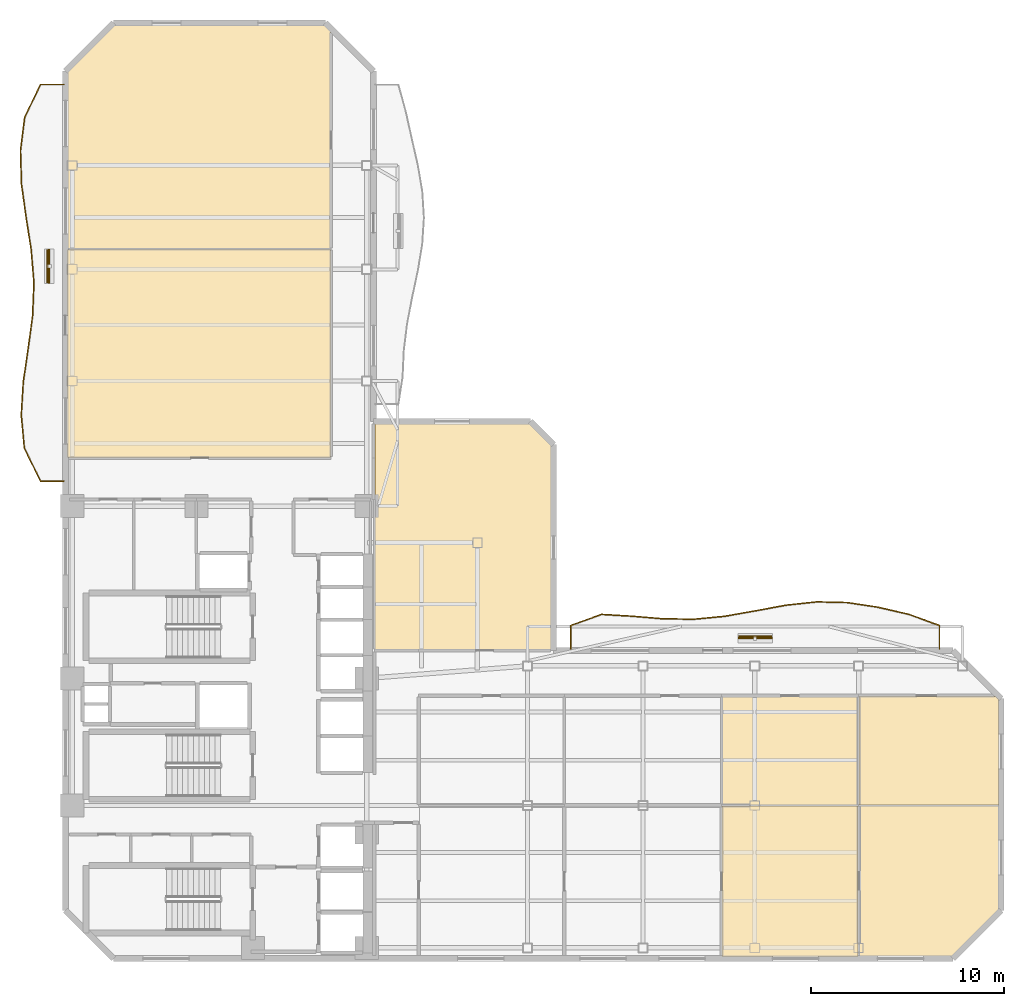
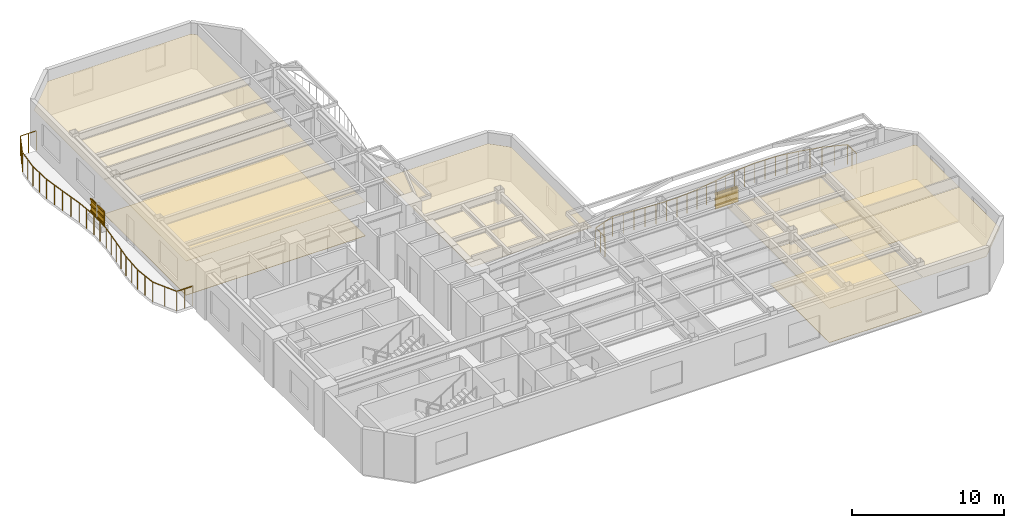
# One storey, part 8 of 9: 10 coverings, 8 shading devices, 2 railings.
"""IFC4 building model written with IfcOpenShell, lengths in metres."""

from ifc_helpers import new_model, si_unit, direction, frame, origin, origin_2d, place, context, subcontext, project, spatial, polyline, rectangle, outline, extrude, material, layer, layer_set, material_profile, profile_set, type_object, element, save


model = new_model("IFC4")

# Units and contexts
model_context = context("Model", 3, precision=1e-05, world=origin(), true_north=direction((0.0, 1.0)))
body_context = subcontext(model_context, "Body", "Model", "MODEL_VIEW")
ifc_project = project(units=[si_unit("LENGTHUNIT", "METRE"), si_unit("AREAUNIT", "SQUARE_METRE"), si_unit("VOLUMEUNIT", "CUBIC_METRE"), si_unit("PLANEANGLEUNIT", "RADIAN"), si_unit("MASSUNIT", "GRAM", prefix="KILO")], contexts=[model_context])

# Site, building, storey
site_placement = place(None, origin())
site = spatial("IfcSite", under=ifc_project, at=site_placement, CompositionType="ELEMENT")
building_placement = place(site_placement, origin())
building = spatial("IfcBuilding", under=site, at=building_placement, Name="Mawjaban Terraces University", CompositionType="ELEMENT")
storey_placement = place(building_placement, frame((0.0, 0.0, 130.699951171875)))
storey = spatial("IfcBuildingStorey", under=building, at=storey_placement, Name="L31", CompositionType="ELEMENT", Elevation=130.699951171875)

# Coverings
ifc_material_1 = material(Name="Acoustic mineral fibre ceiling tile", Category="masonry")
ifc_layer_1 = layer(ifc_material_1, 0.02001953125)
ifc_layer_set_1 = layer_set([ifc_layer_1], Name="Acoustic mineral fibre ceiling tile")
covering_type_1 = type_object("IfcCoveringType", Name="AcousticMineralCeiling_20", PredefinedType="CEILING", material=ifc_layer_set_1)
covering_1_placement = place(storey_placement, frame((0.0, 0.0, 2.75)))
element("IfcCovering", 1, at=covering_1_placement, inside=storey, type_object=covering_type_1, Name="L31 Reading Salon 6 Acoustic Ceiling", PredefinedType="CEILING", context=body_context, shape_type="SweptSolid", body=[
    extrude(outline(polyline([(56.110107421875, 0.114990234375), (63.169921875, 0.114990234375), (63.169921875, 7.919921875), (56.110107421875, 7.919921875), (56.110107421875, 0.114990234375)])), origin(), (0.0, 0.0, 1.0), 0.02001953125),
])
covering_2_placement = place(storey_placement, frame((0.0, 0.0, 2.75)))
element("IfcCovering", 2, at=covering_2_placement, inside=storey, type_object=covering_type_1, Name="L31 Academic Counseling Room 7 Acoustic Ceiling", PredefinedType="CEILING", context=body_context, shape_type="SweptSolid", body=[
    extrude(outline(polyline([(63.169921875, 7.97998046875), (63.169921875, 13.6201171875), (56.110107421875, 13.6201171875), (56.110107421875, 7.97998046875), (63.169921875, 7.97998046875)])), origin(), (0.0, 0.0, 1.0), 0.02001953125),
])
covering_3_placement = place(storey_placement, frame((0.0, 0.0, 2.75)))
element("IfcCovering", 3, at=covering_3_placement, inside=storey, type_object=covering_type_1, Name="L31 Academic Counseling Room 8 Acoustic Ceiling", PredefinedType="CEILING", context=body_context, shape_type="SweptSolid", body=[
    extrude(outline(polyline([(63.22998046875, 0.114990234375), (68.052978515625, 0.114990234375), (70.485107421875, 2.547119140625), (70.485107421875, 7.919921875), (63.22998046875, 7.919921875), (63.22998046875, 0.114990234375)])), origin(), (0.0, 0.0, 1.0), 0.02001953125),
])
covering_4_placement = place(storey_placement, frame((0.0, 0.0, 2.75)))
element("IfcCovering", 4, at=covering_4_placement, inside=storey, type_object=covering_type_1, Name="L31 Classroom 9 Acoustic Ceiling", PredefinedType="CEILING", context=body_context, shape_type="SweptSolid", body=[
    extrude(outline(polyline([(70.485107421875, 7.97998046875), (70.485107421875, 13.452880859375), (70.318115234375, 13.6201171875), (63.22998046875, 13.6201171875), (63.22998046875, 7.97998046875), (70.485107421875, 7.97998046875)])), origin(), (0.0, 0.0, 1.0), 0.02001953125),
])
covering_5_placement = place(storey_placement, frame((0.0, 0.0, 2.75)))
element("IfcCovering", 5, at=covering_5_placement, inside=storey, type_object=covering_type_1, Name="L31 Seminar Room 10 Acoustic Ceiling", PredefinedType="CEILING", context=body_context, shape_type="SweptSolid", body=[
    extrude(outline(polyline([(22.114990234375, 36.818115234375), (22.114990234375, 26.030029296875), (35.77001953125, 26.030029296875), (35.77001953125, 36.818115234375), (22.114990234375, 36.818115234375)])), origin(), (0.0, 0.0, 1.0), 0.02001953125),
])
covering_6_placement = place(storey_placement, frame((0.0, 0.0, 2.75)))
element("IfcCovering", 6, at=covering_6_placement, inside=storey, type_object=covering_type_1, Name="L31 Faculty Office 11 Acoustic Ceiling", PredefinedType="CEILING", context=body_context, shape_type="SweptSolid", body=[
    extrude(outline(polyline([(35.77001953125, 48.16796875), (35.452880859375, 48.485107421875), (24.547119140625, 48.485107421875), (22.114990234375, 46.052978515625), (22.114990234375, 36.8779296875), (35.77001953125, 36.8779296875), (35.77001953125, 48.16796875)])), origin(), (0.0, 0.0, 1.0), 0.02001953125),
])
covering_7_placement = place(storey_placement, frame((0.0, 0.0, 2.75)))
element("IfcCovering", 7, at=covering_7_placement, inside=storey, type_object=covering_type_1, Name="L31 Terrace Collaborative Study Room Acoustic Ceiling", PredefinedType="CEILING", context=body_context, shape_type="SweptSolid", body=[
    extrude(outline(polyline([(47.236083984375, 16.030029296875), (47.236083984375, 26.653076171875), (46.10400390625, 27.784912109375), (38.080078125, 27.784912109375), (38.080078125, 16.030029296875), (47.236083984375, 16.030029296875)])), origin(), (0.0, 0.0, 1.0), 0.02001953125),
])

# Railings
ifc_material_2 = material(Name="Galvanised powder-coated steel S355", Category="steel")
railing_type = type_object("IfcRailingType", Name="BalconyBalustrade_1600", PredefinedType="BALUSTRADE", material=ifc_material_2)
railing_1_placement = place(storey_placement, frame((21.919921875, 24.800048828125, 0.0)))
element("IfcRailing", 8, at=railing_1_placement, inside=storey, type_object=railing_type, Name="L31 Balcony Guardrail west", PredefinedType="BALUSTRADE", context=body_context, shape_type="SweptSolid", body=[
    extrude(rectangle(XDim=0.048095703125, YDim=0.048095703125, at=origin_2d()), frame((0.0, 0.0, 1.576171875), z_axis=(-1.0, 0.0, 0.0), x_axis=(0.0, -1.0, 0.0)), (0.0, 0.0, 1.0), 1.219970703125),
    extrude(rectangle(XDim=0.048095703125, YDim=0.048095703125, at=origin_2d()), frame((-1.219970703125, 0.0, 1.576171875), z_axis=(-0.438967233207, 0.898503070763, 0.0), x_axis=(-0.898503070763, -0.438967233207, 0.0)), (0.0, 0.0, 1.0), 1.910888671875),
    extrude(rectangle(XDim=0.048095703125, YDim=0.048095703125, at=origin_2d()), frame((-2.058837890625, 1.717041015625, 1.576171875), z_axis=(-0.092375103875, 0.995724279198, 0.0), x_axis=(-0.995724279198, -0.092375103875, 0.0)), (0.0, 0.0, 1.0), 1.72314453125),
    extrude(rectangle(XDim=0.048095703125, YDim=0.048095703125, at=origin_2d()), frame((-2.218017578125, 3.432861328125, 1.576171875), z_axis=(0.060460779806, 0.998170573652, 0.0), x_axis=(-0.998170573652, 0.060460779806, 0.0)), (0.0, 0.0, 1.0), 1.72021484375),
    extrude(rectangle(XDim=0.048095703125, YDim=0.048095703125, at=origin_2d()), frame((-2.114013671875, 5.14990234375, 1.576171875), z_axis=(0.145319838809, 0.989384730248, 0.0), x_axis=(-0.989384730248, 0.145319838809, 0.0)), (0.0, 0.0, 1.0), 1.7353515625),
    extrude(rectangle(XDim=0.048095703125, YDim=0.048095703125, at=origin_2d()), frame((-1.86181640625, 6.866943359375, 1.576171875), z_axis=(0.13449037063, 0.990914900588, 0.0), x_axis=(-0.990914900588, 0.13449037063, 0.0)), (0.0, 0.0, 1.0), 1.731689453125),
    extrude(rectangle(XDim=0.048095703125, YDim=0.048095703125, at=origin_2d()), frame((-1.62890625, 8.5830078125, 1.576171875), z_axis=(0.03949709548, 0.999219685279, 0.0), x_axis=(-0.999219685279, 0.03949709548, 0.0)), (0.0, 0.0, 1.0), 1.71826171875),
    extrude(rectangle(XDim=0.048095703125, YDim=0.048095703125, at=origin_2d()), frame((-1.56103515625, 10.300048828125, 1.576171875), z_axis=(-0.081778633237, 0.996650518058, 0.0), x_axis=(-0.996650518058, -0.081778633237, 0.0)), (0.0, 0.0, 1.0), 1.72265625),
    extrude(rectangle(XDim=0.048095703125, YDim=0.048095703125, at=origin_2d()), frame((-1.701904296875, 12.016845703125, 1.576171875), z_axis=(-0.155435721356, 0.987846008509, 0.0), x_axis=(-0.987846008509, -0.155435721356, 0.0)), (0.0, 0.0, 1.0), 1.737060546875),
    extrude(rectangle(XDim=0.048095703125, YDim=0.048095703125, at=origin_2d()), frame((-1.971923828125, 13.73291015625, 1.576171875), z_axis=(-0.136766084598, 0.990603370731, 0.0), x_axis=(-0.990603370731, -0.136766084598, 0.0)), (0.0, 0.0, 1.0), 1.7333984375),
    extrude(rectangle(XDim=0.048095703125, YDim=0.048095703125, at=origin_2d()), frame((-2.208984375, 15.449951171875, 1.576171875), z_axis=(-0.02842587525, 0.999595903161, 0.0), x_axis=(-0.999595903161, -0.02842587525, 0.0)), (0.0, 0.0, 1.0), 1.7177734375),
    extrude(rectangle(XDim=0.048095703125, YDim=0.048095703125, at=origin_2d()), frame((-2.2578125, 17.1669921875, 1.576171875), z_axis=(0.124781739438, 0.992184215508, 0.0), x_axis=(-0.992184215508, 0.124781739438, 0.0)), (0.0, 0.0, 1.0), 1.7294921875),
    extrude(rectangle(XDim=0.048095703125, YDim=0.048095703125, at=origin_2d()), frame((-2.0419921875, 18.883056640625, 1.576171875), z_axis=(0.431859381841, 0.901940948353, 0.0), x_axis=(-0.901940948353, 0.431859381841, 0.0)), (0.0, 0.0, 1.0), 1.903564453125),
    extrude(rectangle(XDim=0.048095703125, YDim=0.048095703125, at=origin_2d()), frame((-1.219970703125, 20.599853515625, 1.576171875), z_axis=(1.0, 0.0, 0.0), x_axis=(0.0, 1.0, 0.0)), (0.0, 0.0, 1.0), 1.219970703125),
    extrude(rectangle(XDim=0.0419921875, YDim=0.0419921875, at=origin_2d()), origin(), (0.0, 0.0, 1.0), 1.552001953125),
    extrude(rectangle(XDim=0.0419921875, YDim=0.0419921875, at=origin_2d()), frame((-0.60986328125, 0.0, 0.0)), (0.0, 0.0, 1.0), 1.552001953125),
    extrude(rectangle(XDim=0.0419921875, YDim=0.0419921875, at=origin_2d()), frame((-1.219970703125, 0.0, 0.0)), (0.0, 0.0, 1.0), 1.552001953125),
    extrude(rectangle(XDim=0.0419921875, YDim=0.0419921875, at=origin_2d()), frame((-1.639404296875, 0.8583984375, 0.0)), (0.0, 0.0, 1.0), 1.552001953125),
    extrude(rectangle(XDim=0.0419921875, YDim=0.0419921875, at=origin_2d()), frame((-2.058837890625, 1.717041015625, 0.0)), (0.0, 0.0, 1.0), 1.552001953125),
    extrude(rectangle(XDim=0.0419921875, YDim=0.0419921875, at=origin_2d()), frame((-2.138427734375, 2.574951171875, 0.0)), (0.0, 0.0, 1.0), 1.552001953125),
    extrude(rectangle(XDim=0.0419921875, YDim=0.0419921875, at=origin_2d()), frame((-2.218017578125, 3.432861328125, 0.0)), (0.0, 0.0, 1.0), 1.552001953125),
    extrude(rectangle(XDim=0.0419921875, YDim=0.0419921875, at=origin_2d()), frame((-2.166015625, 4.29150390625, 0.0)), (0.0, 0.0, 1.0), 1.552001953125),
    extrude(rectangle(XDim=0.0419921875, YDim=0.0419921875, at=origin_2d()), frame((-2.114013671875, 5.14990234375, 0.0)), (0.0, 0.0, 1.0), 1.552001953125),
    extrude(rectangle(XDim=0.0419921875, YDim=0.0419921875, at=origin_2d()), frame((-1.98779296875, 6.00830078125, 0.0)), (0.0, 0.0, 1.0), 1.552001953125),
    extrude(rectangle(XDim=0.0419921875, YDim=0.0419921875, at=origin_2d()), frame((-1.86181640625, 6.866943359375, 0.0)), (0.0, 0.0, 1.0), 1.552001953125),
    extrude(rectangle(XDim=0.0419921875, YDim=0.0419921875, at=origin_2d()), frame((-1.745361328125, 7.72509765625, 0.0)), (0.0, 0.0, 1.0), 1.552001953125),
    extrude(rectangle(XDim=0.0419921875, YDim=0.0419921875, at=origin_2d()), frame((-1.62890625, 8.5830078125, 0.0)), (0.0, 0.0, 1.0), 1.552001953125),
    extrude(rectangle(XDim=0.0419921875, YDim=0.0419921875, at=origin_2d()), frame((-1.594970703125, 9.44140625, 0.0)), (0.0, 0.0, 1.0), 1.552001953125),
    extrude(rectangle(XDim=0.0419921875, YDim=0.0419921875, at=origin_2d()), frame((-1.56103515625, 10.300048828125, 0.0)), (0.0, 0.0, 1.0), 1.552001953125),
    extrude(rectangle(XDim=0.0419921875, YDim=0.0419921875, at=origin_2d()), frame((-1.63134765625, 11.158447265625, 0.0)), (0.0, 0.0, 1.0), 1.552001953125),
    extrude(rectangle(XDim=0.0419921875, YDim=0.0419921875, at=origin_2d()), frame((-1.701904296875, 12.016845703125, 0.0)), (0.0, 0.0, 1.0), 1.552001953125),
    extrude(rectangle(XDim=0.0419921875, YDim=0.0419921875, at=origin_2d()), frame((-1.8369140625, 12.875, 0.0)), (0.0, 0.0, 1.0), 1.552001953125),
    extrude(rectangle(XDim=0.0419921875, YDim=0.0419921875, at=origin_2d()), frame((-1.971923828125, 13.73291015625, 0.0)), (0.0, 0.0, 1.0), 1.552001953125),
    extrude(rectangle(XDim=0.0419921875, YDim=0.0419921875, at=origin_2d()), frame((-2.09033203125, 14.59130859375, 0.0)), (0.0, 0.0, 1.0), 1.552001953125),
    extrude(rectangle(XDim=0.0419921875, YDim=0.0419921875, at=origin_2d()), frame((-2.208984375, 15.449951171875, 0.0)), (0.0, 0.0, 1.0), 1.552001953125),
    extrude(rectangle(XDim=0.0419921875, YDim=0.0419921875, at=origin_2d()), frame((-2.2333984375, 16.30859375, 0.0)), (0.0, 0.0, 1.0), 1.552001953125),
    extrude(rectangle(XDim=0.0419921875, YDim=0.0419921875, at=origin_2d()), frame((-2.2578125, 17.1669921875, 0.0)), (0.0, 0.0, 1.0), 1.552001953125),
    extrude(rectangle(XDim=0.0419921875, YDim=0.0419921875, at=origin_2d()), frame((-2.14990234375, 18.02490234375, 0.0)), (0.0, 0.0, 1.0), 1.552001953125),
    extrude(rectangle(XDim=0.0419921875, YDim=0.0419921875, at=origin_2d()), frame((-2.0419921875, 18.883056640625, 0.0)), (0.0, 0.0, 1.0), 1.552001953125),
    extrude(rectangle(XDim=0.0419921875, YDim=0.0419921875, at=origin_2d()), frame((-1.630859375, 19.741455078125, 0.0)), (0.0, 0.0, 1.0), 1.552001953125),
    extrude(rectangle(XDim=0.0419921875, YDim=0.0419921875, at=origin_2d()), frame((-1.219970703125, 20.599853515625, 0.0)), (0.0, 0.0, 1.0), 1.552001953125),
    extrude(rectangle(XDim=0.0419921875, YDim=0.0419921875, at=origin_2d()), frame((-0.60986328125, 20.599853515625, 0.0)), (0.0, 0.0, 1.0), 1.552001953125),
    extrude(rectangle(XDim=0.0419921875, YDim=0.0419921875, at=origin_2d()), frame((0.0, 20.599853515625, 0.0)), (0.0, 0.0, 1.0), 1.552001953125),
])
railing_2_placement = place(storey_placement, frame((48.2509765625, 16.080078125, 0.0)))
element("IfcRailing", 9, at=railing_2_placement, inside=storey, type_object=railing_type, Name="L31 Balcony Guardrail inner_north", PredefinedType="BALUSTRADE", context=body_context, shape_type="SweptSolid", body=[
    extrude(rectangle(XDim=0.048095703125, YDim=0.048095703125, at=origin_2d()), frame((0.0, 0.0, 1.576171875), z_axis=(0.0, 1.0, 0.0), x_axis=(-1.0, 0.0, 0.0)), (0.0, 0.0, 1.0), 1.219970703125),
    extrude(rectangle(XDim=0.048095703125, YDim=0.048095703125, at=origin_2d()), frame((0.0, 1.219970703125, 1.576171875), z_axis=(0.940626659326, 0.339442907962, 0.0), x_axis=(-0.339442907962, 0.940626659326, 0.0)), (0.0, 0.0, 1.0), 1.69677734375),
    extrude(rectangle(XDim=0.048095703125, YDim=0.048095703125, at=origin_2d()), frame((1.595947265625, 1.7958984375, 1.576171875), z_axis=(0.998303755158, -0.05822037819, 0.0), x_axis=(0.05822037819, 0.998303755158, 0.0)), (0.0, 0.0, 1.0), 1.59765625),
    extrude(rectangle(XDim=0.048095703125, YDim=0.048095703125, at=origin_2d()), frame((3.19091796875, 1.702880859375, 1.576171875), z_axis=(0.99649300158, -0.083676148343, 0.0), x_axis=(0.083676148343, 0.99649300158, 0.0)), (0.0, 0.0, 1.0), 1.601806640625),
    extrude(rectangle(XDim=0.048095703125, YDim=0.048095703125, at=origin_2d()), frame((4.787109375, 1.56884765625, 1.576171875), z_axis=(0.999896628362, -0.014378198419, 0.0), x_axis=(0.014378198419, 0.999896628362, 0.0)), (0.0, 0.0, 1.0), 1.59619140625),
    extrude(rectangle(XDim=0.048095703125, YDim=0.048095703125, at=origin_2d()), frame((6.383056640625, 1.5458984375, 1.576171875), z_axis=(0.995546661763, 0.094270060216, 0.0), x_axis=(-0.094270060216, 0.995546661763, 0.0)), (0.0, 0.0, 1.0), 1.60302734375),
    extrude(rectangle(XDim=0.048095703125, YDim=0.048095703125, at=origin_2d()), frame((7.97900390625, 1.697021484375, 1.576171875), z_axis=(0.984643735334, 0.17457581295, 0.0), x_axis=(-0.17457581295, 0.984643735334, 0.0)), (0.0, 0.0, 1.0), 1.620849609375),
    extrude(rectangle(XDim=0.048095703125, YDim=0.048095703125, at=origin_2d()), frame((9.574951171875, 1.97998046875, 1.576171875), z_axis=(0.983330877725, 0.181825149287, 0.0), x_axis=(-0.181825149287, 0.983330877725, 0.0)), (0.0, 0.0, 1.0), 1.6220703125),
    extrude(rectangle(XDim=0.048095703125, YDim=0.048095703125, at=origin_2d()), frame((11.169921875, 2.27490234375, 1.576171875), z_axis=(0.994171420844, 0.107810880602, 0.0), x_axis=(-0.107810880602, 0.994171420844, 0.0)), (0.0, 0.0, 1.0), 1.60546875),
    extrude(rectangle(XDim=0.048095703125, YDim=0.048095703125, at=origin_2d()), frame((12.76611328125, 2.447998046875, 1.576171875), z_axis=(0.999729775858, -0.023245973066, 0.0), x_axis=(0.023245973066, 0.999729775858, 0.0)), (0.0, 0.0, 1.0), 1.596435546875),
    extrude(rectangle(XDim=0.048095703125, YDim=0.048095703125, at=origin_2d()), frame((14.362060546875, 2.410888671875, 1.576171875), z_axis=(0.988613457964, -0.150477342921, 0.0), x_axis=(0.150477342921, 0.988613457964, 0.0)), (0.0, 0.0, 1.0), 1.6142578125),
    extrude(rectangle(XDim=0.048095703125, YDim=0.048095703125, at=origin_2d()), frame((15.9580078125, 2.16796875, 1.576171875), z_axis=(0.974541824701, -0.224205780273, 0.0), x_axis=(0.224205780273, 0.974541824701, 0.0)), (0.0, 0.0, 1.0), 1.63671875),
    extrude(rectangle(XDim=0.048095703125, YDim=0.048095703125, at=origin_2d()), frame((17.552978515625, 1.801025390625, 1.576171875), z_axis=(0.939659049307, -0.342112366124, 0.0), x_axis=(0.342112366124, 0.939659049307, 0.0)), (0.0, 0.0, 1.0), 1.698486328125),
    extrude(rectangle(XDim=0.048095703125, YDim=0.048095703125, at=origin_2d()), frame((19.14892578125, 1.219970703125, 1.576171875), z_axis=(0.0, -1.0, 0.0), x_axis=(1.0, 0.0, 0.0)), (0.0, 0.0, 1.0), 1.219970703125),
    extrude(rectangle(XDim=0.0419921875, YDim=0.0419921875, at=origin_2d()), origin(), (0.0, 0.0, 1.0), 1.552001953125),
    extrude(rectangle(XDim=0.0419921875, YDim=0.0419921875, at=origin_2d()), frame((0.0, 0.60986328125, 0.0)), (0.0, 0.0, 1.0), 1.552001953125),
    extrude(rectangle(XDim=0.0419921875, YDim=0.0419921875, at=origin_2d()), frame((0.0, 1.219970703125, 0.0)), (0.0, 0.0, 1.0), 1.552001953125),
    extrude(rectangle(XDim=0.0419921875, YDim=0.0419921875, at=origin_2d()), frame((0.7978515625, 1.5078125, 0.0)), (0.0, 0.0, 1.0), 1.552001953125),
    extrude(rectangle(XDim=0.0419921875, YDim=0.0419921875, at=origin_2d()), frame((1.595947265625, 1.7958984375, 0.0)), (0.0, 0.0, 1.0), 1.552001953125),
    extrude(rectangle(XDim=0.0419921875, YDim=0.0419921875, at=origin_2d()), frame((2.3935546875, 1.74951171875, 0.0)), (0.0, 0.0, 1.0), 1.552001953125),
    extrude(rectangle(XDim=0.0419921875, YDim=0.0419921875, at=origin_2d()), frame((3.19091796875, 1.702880859375, 0.0)), (0.0, 0.0, 1.0), 1.552001953125),
    extrude(rectangle(XDim=0.0419921875, YDim=0.0419921875, at=origin_2d()), frame((3.989013671875, 1.6357421875, 0.0)), (0.0, 0.0, 1.0), 1.552001953125),
    extrude(rectangle(XDim=0.0419921875, YDim=0.0419921875, at=origin_2d()), frame((4.787109375, 1.56884765625, 0.0)), (0.0, 0.0, 1.0), 1.552001953125),
    extrude(rectangle(XDim=0.0419921875, YDim=0.0419921875, at=origin_2d()), frame((5.5849609375, 1.557373046875, 0.0)), (0.0, 0.0, 1.0), 1.552001953125),
    extrude(rectangle(XDim=0.0419921875, YDim=0.0419921875, at=origin_2d()), frame((6.383056640625, 1.5458984375, 0.0)), (0.0, 0.0, 1.0), 1.552001953125),
    extrude(rectangle(XDim=0.0419921875, YDim=0.0419921875, at=origin_2d()), frame((7.18115234375, 1.62158203125, 0.0)), (0.0, 0.0, 1.0), 1.552001953125),
    extrude(rectangle(XDim=0.0419921875, YDim=0.0419921875, at=origin_2d()), frame((7.97900390625, 1.697021484375, 0.0)), (0.0, 0.0, 1.0), 1.552001953125),
    extrude(rectangle(XDim=0.0419921875, YDim=0.0419921875, at=origin_2d()), frame((8.77685546875, 1.83837890625, 0.0)), (0.0, 0.0, 1.0), 1.552001953125),
    extrude(rectangle(XDim=0.0419921875, YDim=0.0419921875, at=origin_2d()), frame((9.574951171875, 1.97998046875, 0.0)), (0.0, 0.0, 1.0), 1.552001953125),
    extrude(rectangle(XDim=0.0419921875, YDim=0.0419921875, at=origin_2d()), frame((10.37255859375, 2.12744140625, 0.0)), (0.0, 0.0, 1.0), 1.552001953125),
    extrude(rectangle(XDim=0.0419921875, YDim=0.0419921875, at=origin_2d()), frame((11.169921875, 2.27490234375, 0.0)), (0.0, 0.0, 1.0), 1.552001953125),
    extrude(rectangle(XDim=0.0419921875, YDim=0.0419921875, at=origin_2d()), frame((11.968017578125, 2.361328125, 0.0)), (0.0, 0.0, 1.0), 1.552001953125),
    extrude(rectangle(XDim=0.0419921875, YDim=0.0419921875, at=origin_2d()), frame((12.76611328125, 2.447998046875, 0.0)), (0.0, 0.0, 1.0), 1.552001953125),
    extrude(rectangle(XDim=0.0419921875, YDim=0.0419921875, at=origin_2d()), frame((13.56396484375, 2.429443359375, 0.0)), (0.0, 0.0, 1.0), 1.552001953125),
    extrude(rectangle(XDim=0.0419921875, YDim=0.0419921875, at=origin_2d()), frame((14.362060546875, 2.410888671875, 0.0)), (0.0, 0.0, 1.0), 1.552001953125),
    extrude(rectangle(XDim=0.0419921875, YDim=0.0419921875, at=origin_2d()), frame((15.16015625, 2.28955078125, 0.0)), (0.0, 0.0, 1.0), 1.552001953125),
    extrude(rectangle(XDim=0.0419921875, YDim=0.0419921875, at=origin_2d()), frame((15.9580078125, 2.16796875, 0.0)), (0.0, 0.0, 1.0), 1.552001953125),
    extrude(rectangle(XDim=0.0419921875, YDim=0.0419921875, at=origin_2d()), frame((16.75537109375, 1.984375, 0.0)), (0.0, 0.0, 1.0), 1.552001953125),
    extrude(rectangle(XDim=0.0419921875, YDim=0.0419921875, at=origin_2d()), frame((17.552978515625, 1.801025390625, 0.0)), (0.0, 0.0, 1.0), 1.552001953125),
    extrude(rectangle(XDim=0.0419921875, YDim=0.0419921875, at=origin_2d()), frame((18.35107421875, 1.510498046875, 0.0)), (0.0, 0.0, 1.0), 1.552001953125),
    extrude(rectangle(XDim=0.0419921875, YDim=0.0419921875, at=origin_2d()), frame((19.14892578125, 1.219970703125, 0.0)), (0.0, 0.0, 1.0), 1.552001953125),
    extrude(rectangle(XDim=0.0419921875, YDim=0.0419921875, at=origin_2d()), frame((19.14892578125, 0.60986328125, 0.0)), (0.0, 0.0, 1.0), 1.552001953125),
    extrude(rectangle(XDim=0.0419921875, YDim=0.0419921875, at=origin_2d()), frame((19.14892578125, 0.0, 0.0)), (0.0, 0.0, 1.0), 1.552001953125),
])

# Shading devices
ifc_material_3 = material(Name="Glazed architectural terracotta ceramic", Category="masonry")
ifc_material_profile = material_profile(ifc_material_3, rectangle(XDim=0.06494140625, YDim=0.110107421875, at=origin_2d()), Name="TBAG110X65")
ifc_profile_set = profile_set([ifc_material_profile], Name="Glazed architectural terracotta ceramic")
shading_device_type_1 = type_object("IfcShadingDeviceType", Name="TerracottaBaguette_110x65", PredefinedType="USERDEFINED", material=ifc_profile_set)
for number, where, z_axis, x_axis, name in (
    (10, (21.06396484375, 35.10888671875, 0.679931640625), (0.0, 1.0, 0.0), (-1.0, 0.0, 0.0), "L31 Horizontal Terracotta Baguette west.1"),
    (11, (21.06396484375, 35.10888671875, 1.150146484375), (0.0, 1.0, 0.0), (-1.0, 0.0, 0.0), "L31 Horizontal Terracotta Baguette west.2"),
    (12, (21.06396484375, 35.10888671875, 1.6201171875), (0.0, 1.0, 0.0), (-1.0, 0.0, 0.0), "L31 Horizontal Terracotta Baguette west.3"),
):
    element("IfcShadingDevice", number, at=place(storey_placement, frame(where, z_axis=z_axis, x_axis=x_axis)), inside=storey, type_object=shading_device_type_1, Name=name, ObjectType="BAGUETTE", PredefinedType="USERDEFINED", context=body_context, shape_type="SweptSolid", body=[
        extrude(rectangle(XDim=0.06494140625, YDim=0.110107421875, at=origin_2d()), origin(), (0.0, 0.0, 1.0), 1.7001953125),
    ])
for number, where, z_axis, x_axis, name in (
    (13, (56.97607421875, 16.72998046875, 0.679931640625), (1.0, 0.0, 0.0), (0.0, 1.0, 0.0), "L31 Horizontal Terracotta Baguette inner_north.1"),
    (14, (56.97607421875, 16.72998046875, 1.150146484375), (1.0, 0.0, 0.0), (0.0, 1.0, 0.0), "L31 Horizontal Terracotta Baguette inner_north.2"),
    (15, (56.97607421875, 16.72998046875, 1.6201171875), (1.0, 0.0, 0.0), (0.0, 1.0, 0.0), "L31 Horizontal Terracotta Baguette inner_north.3"),
):
    element("IfcShadingDevice", number, at=place(storey_placement, frame(where, z_axis=z_axis, x_axis=x_axis)), inside=storey, type_object=shading_device_type_1, Name=name, ObjectType="BAGUETTE", PredefinedType="USERDEFINED", context=body_context, shape_type="SweptSolid", body=[
        extrude(rectangle(XDim=0.06494140625, YDim=0.110107421875, at=origin_2d()), origin(), (0.0, 0.0, 1.0), 1.699951171875),
    ])
ifc_layer_2 = layer(ifc_material_3, 0.080078125)
ifc_layer_set_2 = layer_set([ifc_layer_2], Name="Glazed architectural terracotta ceramic")
shading_device_type_2 = type_object("IfcShadingDeviceType", Name="TerracottaScreen_Perforated", PredefinedType="USERDEFINED", material=ifc_layer_set_2)
for number, where, z_axis, x_axis, name in (
    (16, (21.14892578125, 35.958984375, 0.440185546875), (0.0, 0.0, 1.0), (0.0, 1.0, 0.0), "L31 Balcony Perforated Terracotta Screen west"),
    (17, (57.825927734375, 16.64501953125, 0.440185546875), (0.0, 0.0, 1.0), (1.0, 0.0, 0.0), "L31 Balcony Perforated Terracotta Screen inner_north"),
):
    element("IfcShadingDevice", number, at=place(storey_placement, frame(where, z_axis=z_axis, x_axis=x_axis)), inside=storey, type_object=shading_device_type_2, Name=name, ObjectType="SCREEN", PredefinedType="USERDEFINED", context=body_context, shape_type="SweptSolid", body=[
        extrude(rectangle(XDim=1.75, YDim=0.080078125, at=origin_2d()), origin(), (0.0, 0.0, 1.0), 1.14990234375),
    ])

# Coverings
ifc_material_4 = material(Name="Polished Hijazi granite terrazzo flooring", Category="masonry")
ifc_layer_3 = layer(ifc_material_4, 0.02490234375)
ifc_layer_set_3 = layer_set([ifc_layer_3], Name="Polished Hijazi granite terrazzo flooring")
covering_type_2 = type_object("IfcCoveringType", Name="TerrazzoConcourseFlooring_25", PredefinedType="FLOORING", material=ifc_layer_set_3)
covering_8_placement = place(storey_placement, origin())
element("IfcCovering", 18, at=covering_8_placement, inside=storey, type_object=covering_type_2, Name="L31 Reading Salon 6 Terrazzo Flooring", PredefinedType="FLOORING", context=body_context, shape_type="SweptSolid", body=[
    extrude(outline(polyline([(56.110107421875, 0.114990234375), (63.169921875, 0.114990234375), (63.169921875, 7.919921875), (56.110107421875, 7.919921875), (56.110107421875, 0.114990234375)])), origin(), (0.0, 0.0, 1.0), 0.025146484375),
])
covering_9_placement = place(storey_placement, origin())
element("IfcCovering", 19, at=covering_9_placement, inside=storey, type_object=covering_type_2, Name="L31 Classroom 9 Terrazzo Flooring", PredefinedType="FLOORING", context=body_context, shape_type="SweptSolid", body=[
    extrude(outline(polyline([(70.485107421875, 7.97998046875), (70.485107421875, 13.452880859375), (70.318115234375, 13.6201171875), (63.22998046875, 13.6201171875), (63.22998046875, 7.97998046875), (70.485107421875, 7.97998046875)])), origin(), (0.0, 0.0, 1.0), 0.025146484375),
])
covering_10_placement = place(storey_placement, origin())
element("IfcCovering", 20, at=covering_10_placement, inside=storey, type_object=covering_type_2, Name="L31 Seminar Room 10 Terrazzo Flooring", PredefinedType="FLOORING", context=body_context, shape_type="SweptSolid", body=[
    extrude(outline(polyline([(22.114990234375, 36.818115234375), (22.114990234375, 26.030029296875), (35.77001953125, 26.030029296875), (35.77001953125, 36.818115234375), (22.114990234375, 36.818115234375)])), origin(), (0.0, 0.0, 1.0), 0.025146484375),
])

save(model, "model.ifc")
